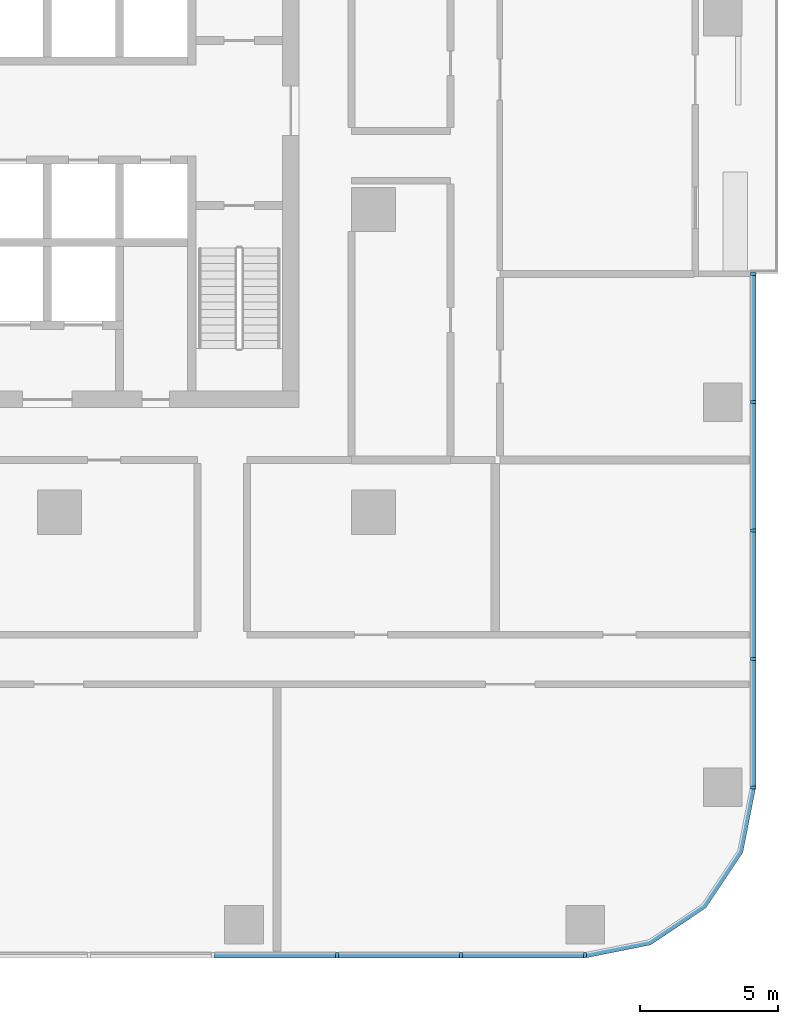
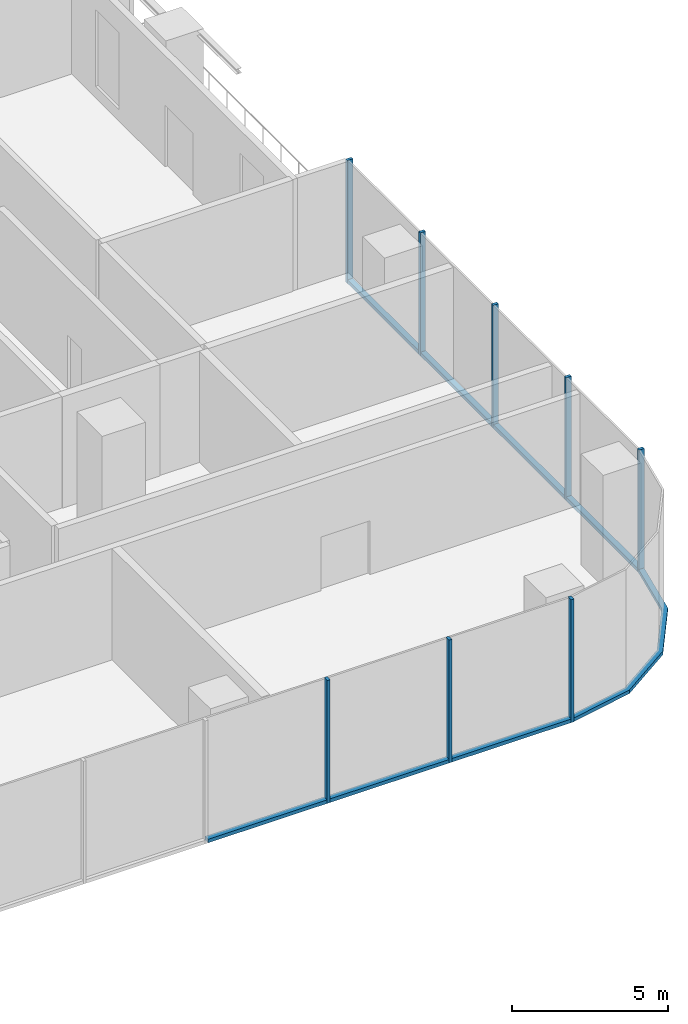
# One storey, part 3 of 15: 16 members, 3 elements without a shape of their own.
"""IFC4 building model written with IfcOpenShell, lengths in metres."""

from ifc_helpers import new_model, si_unit, direction, frame, origin, origin_2d, place, context, subcontext, project, spatial, polyline, rectangle, outline, extrude, material, material_profile, profile_set, type_object, element, aggregate, save


model = new_model("IFC4")

# Units and contexts
model_context = context("Model", 3, precision=1e-05, world=origin(), true_north=direction((0.0, 1.0)))
body_context = subcontext(model_context, "Body", "Model", "MODEL_VIEW")
ifc_project = project(units=[si_unit("LENGTHUNIT", "METRE"), si_unit("AREAUNIT", "SQUARE_METRE"), si_unit("VOLUMEUNIT", "CUBIC_METRE"), si_unit("PLANEANGLEUNIT", "RADIAN"), si_unit("MASSUNIT", "GRAM", prefix="KILO")], contexts=[model_context])

# Site, building, storey
site_placement = place(None, origin())
site = spatial("IfcSite", under=ifc_project, at=site_placement, CompositionType="ELEMENT")
building_placement = place(site_placement, origin())
building = spatial("IfcBuilding", under=site, at=building_placement, Name="Mopane Tessera Tower", CompositionType="ELEMENT")
storey_placement = place(building_placement, frame((0.0, 0.0, 79.0)))
storey = spatial("IfcBuildingStorey", under=building, at=storey_placement, Name="L15", CompositionType="ELEMENT", Elevation=79.0)

# Curtain wall, members
ifc_material_1 = material(Name="Aluminium frame", Category="aluminium")
curtain_wall_type = type_object("IfcCurtainWallType", Name="Lower tower unitised wall", PredefinedType="NOTDEFINED", material=ifc_material_1)
curtain_wall_1_placement = place(storey_placement, origin())
curtain_wall_1 = element("IfcCurtainWall", 1, at=curtain_wall_1_placement, inside=storey, type_object=curtain_wall_type, Name="e:cw:L15:S:5", PredefinedType="NOTDEFINED")
ifc_material_2 = material(Name="Aluminium frame", Category="aluminium")
ifc_material_profile_1 = material_profile(ifc_material_2, rectangle(XDim=0.110107421875, YDim=0.199951171875, at=origin_2d()))
ifc_profile_set_1 = profile_set([ifc_material_profile_1], Name="Aluminium frame")
member_type_1 = type_object("IfcMemberType", Name="Aluminium mullion 110 x 200", PredefinedType="MULLION", material=ifc_profile_set_1)
member_1_placement = place(storey_placement, frame((15.78173828125, -27.10009765625, -0.449951171875), z_axis=(0.0, 0.0, 1.0), x_axis=(1.0, 0.0, 0.0)))
member_1 = element("IfcMember", 2, at=member_1_placement, type_object=member_type_1, Name="e:cw:L15:S:5:mu9", PredefinedType="MULLION", context=body_context, shape_type="SweptSolid", body=[
    extrude(rectangle(XDim=0.110107421875, YDim=0.199951171875, at=origin_2d()), origin(), (0.0, 0.0, 1.0), 4.800048828125),
])
member_2_placement = place(storey_placement, frame((20.291015625, -27.10009765625, -0.449951171875), z_axis=(0.0, 0.0, 1.0), x_axis=(1.0, 0.0, 0.0)))
member_2 = element("IfcMember", 3, at=member_2_placement, type_object=member_type_1, Name="e:cw:L15:S:5:mu10", PredefinedType="MULLION", context=body_context, shape_type="SweptSolid", body=[
    extrude(rectangle(XDim=0.110107421875, YDim=0.199951171875, at=origin_2d()), origin(), (0.0, 0.0, 1.0), 4.800048828125),
])
member_3_placement = place(storey_placement, frame((24.800048828125, -27.10009765625, -0.449951171875), z_axis=(0.0, 0.0, 1.0), x_axis=(1.0, 0.0, 0.0)))
member_3 = element("IfcMember", 4, at=member_3_placement, type_object=member_type_1, Name="e:cw:L15:S:5:mu11", PredefinedType="MULLION", context=body_context, shape_type="SweptSolid", body=[
    extrude(rectangle(XDim=0.110107421875, YDim=0.199951171875, at=origin_2d()), origin(), (0.0, 0.0, 1.0), 4.800048828125),
])

curtain_wall_2_placement = place(storey_placement, origin())
curtain_wall_2 = element("IfcCurtainWall", 5, at=curtain_wall_2_placement, inside=storey, type_object=curtain_wall_type, Name="e:cw:L15:E:0", PredefinedType="NOTDEFINED")
member_4_placement = place(storey_placement, frame((30.89990234375, -21.0, -0.449951171875), z_axis=(0.0, 0.0, 1.0), x_axis=(0.0, 1.0, 0.0)))
member_4 = element("IfcMember", 6, at=member_4_placement, type_object=member_type_1, Name="e:cw:L15:E:0:mu0", PredefinedType="MULLION", context=body_context, shape_type="SweptSolid", body=[
    extrude(rectangle(XDim=0.110107421875, YDim=0.199951171875, at=origin_2d()), origin(), (0.0, 0.0, 1.0), 4.800048828125),
])
member_5_placement = place(storey_placement, frame((30.89990234375, -16.333251953125, -0.449951171875), z_axis=(0.0, 0.0, 1.0), x_axis=(0.0, 1.0, 0.0)))
member_5 = element("IfcMember", 7, at=member_5_placement, type_object=member_type_1, Name="e:cw:L15:E:0:mu1", PredefinedType="MULLION", context=body_context, shape_type="SweptSolid", body=[
    extrude(rectangle(XDim=0.110107421875, YDim=0.199951171875, at=origin_2d()), origin(), (0.0, 0.0, 1.0), 4.800048828125),
])
member_6_placement = place(storey_placement, frame((30.89990234375, -11.666748046875, -0.449951171875), z_axis=(0.0, 0.0, 1.0), x_axis=(0.0, 1.0, 0.0)))
member_6 = element("IfcMember", 8, at=member_6_placement, type_object=member_type_1, Name="e:cw:L15:E:0:mu2", PredefinedType="MULLION", context=body_context, shape_type="SweptSolid", body=[
    extrude(rectangle(XDim=0.110107421875, YDim=0.199951171875, at=origin_2d()), origin(), (0.0, 0.0, 1.0), 4.800048828125),
])
member_7_placement = place(storey_placement, frame((30.89990234375, -7.0, -0.449951171875), z_axis=(0.0, 0.0, 1.0), x_axis=(0.0, 1.0, 0.0)))
member_7 = element("IfcMember", 9, at=member_7_placement, type_object=member_type_1, Name="e:cw:L15:E:0:mu3", PredefinedType="MULLION", context=body_context, shape_type="SweptSolid", body=[
    extrude(rectangle(XDim=0.110107421875, YDim=0.199951171875, at=origin_2d()), origin(), (0.0, 0.0, 1.0), 4.800048828125),
])
member_8_placement = place(storey_placement, frame((30.89990234375, -2.333251953125, -0.449951171875), z_axis=(0.0, 0.0, 1.0), x_axis=(0.0, 1.0, 0.0)))
member_8 = element("IfcMember", 10, at=member_8_placement, type_object=member_type_1, Name="e:cw:L15:E:0:mu4", PredefinedType="MULLION", context=body_context, shape_type="SweptSolid", body=[
    extrude(rectangle(XDim=0.110107421875, YDim=0.199951171875, at=origin_2d()), origin(), (0.0, 0.0, 1.0), 4.800048828125),
])

# Member
ifc_material_3 = material(Name="Aluminium frame", Category="aluminium")
ifc_material_profile_2 = material_profile(ifc_material_3, rectangle(XDim=0.199951171875, YDim=0.139892578125, at=origin_2d()))
ifc_profile_set_2 = profile_set([ifc_material_profile_2], Name="Aluminium frame")
member_type_2 = type_object("IfcMemberType", Name="Aluminium transom 200 x 140", PredefinedType="USERDEFINED", material=ifc_profile_set_2)
member_9_placement = place(storey_placement, frame((11.32763671875, -27.10009765625, -0.3798828125), z_axis=(1.0, 0.0, 0.0), x_axis=(0.0, 1.0, 0.0)))
member_9 = element("IfcMember", 11, at=member_9_placement, type_object=member_type_2, Name="e:cw:L15:S:5:tr8", ObjectType="TRANSOM", PredefinedType="USERDEFINED", context=body_context, shape_type="SweptSolid", body=[
    extrude(rectangle(XDim=0.199951171875, YDim=0.139892578125, at=origin_2d()), origin(), (0.0, 0.0, 1.0), 4.399169921875),
])

member_10_placement = place(storey_placement, frame((15.8369140625, -27.10009765625, -0.3798828125), z_axis=(1.0, 0.0, 0.0), x_axis=(0.0, 1.0, 0.0)))
member_10 = element("IfcMember", 12, at=member_10_placement, type_object=member_type_2, Name="e:cw:L15:S:5:tr9", ObjectType="TRANSOM", PredefinedType="USERDEFINED", context=body_context, shape_type="SweptSolid", body=[
    extrude(rectangle(XDim=0.199951171875, YDim=0.139892578125, at=origin_2d()), origin(), (0.0, 0.0, 1.0), 4.39892578125),
])

member_11_placement = place(storey_placement, frame((20.345947265625, -27.10009765625, -0.3798828125), z_axis=(1.0, 0.0, 0.0), x_axis=(0.0, 1.0, 0.0)))
member_11 = element("IfcMember", 13, at=member_11_placement, type_object=member_type_2, Name="e:cw:L15:S:5:tr10", ObjectType="TRANSOM", PredefinedType="USERDEFINED", context=body_context, shape_type="SweptSolid", body=[
    extrude(rectangle(XDim=0.199951171875, YDim=0.139892578125, at=origin_2d()), origin(), (0.0, 0.0, 1.0), 4.399169921875),
])

aggregate(curtain_wall_1, [member_1, member_2, member_3, member_9, member_10, member_11])

# Curtain wall, member
curtain_wall_3_placement = place(storey_placement, origin())
curtain_wall_3 = element("IfcCurtainWall", 14, at=curtain_wall_3_placement, inside=storey, type_object=curtain_wall_type, Name="e:cw:L15:CS", PredefinedType="NOTDEFINED")
member_12_placement = place(storey_placement, frame((0.0, 0.0, -0.449951171875)))
member_12 = element("IfcMember", 15, at=member_12_placement, type_object=member_type_2, Name="e:cw:L15:CS:tr", ObjectType="TRANSOM", PredefinedType="USERDEFINED", context=body_context, shape_type="SweptSolid", body=[
    extrude(outline(polyline([(24.800048828125, -27.0), (27.09619140625, -26.543212890625), (29.042724609375, -25.24267578125), (30.34326171875, -23.296142578125), (30.800048828125, -21.0), (31.0, -21.0), (30.528076171875, -23.37255859375), (29.18408203125, -25.384033203125), (27.172607421875, -26.72802734375), (24.800048828125, -27.199951171875), (24.800048828125, -27.0)])), origin(), (0.0, 0.0, 1.0), 0.139892578125),
])
aggregate(curtain_wall_3, [member_12])

# Member
member_13_placement = place(storey_placement, frame((30.89990234375, -20.945068359375, -0.3798828125), z_axis=(0.0, 1.0, 0.0), x_axis=(-1.0, 0.0, 0.0)))
member_13 = element("IfcMember", 16, at=member_13_placement, type_object=member_type_2, Name="e:cw:L15:E:0:tr0", ObjectType="TRANSOM", PredefinedType="USERDEFINED", context=body_context, shape_type="SweptSolid", body=[
    extrude(rectangle(XDim=0.199951171875, YDim=0.139892578125, at=origin_2d()), origin(), (0.0, 0.0, 1.0), 4.556640625),
])

member_14_placement = place(storey_placement, frame((30.89990234375, -16.2783203125, -0.3798828125), z_axis=(0.0, 1.0, 0.0), x_axis=(-1.0, 0.0, 0.0)))
member_14 = element("IfcMember", 17, at=member_14_placement, type_object=member_type_2, Name="e:cw:L15:E:0:tr1", ObjectType="TRANSOM", PredefinedType="USERDEFINED", context=body_context, shape_type="SweptSolid", body=[
    extrude(rectangle(XDim=0.199951171875, YDim=0.139892578125, at=origin_2d()), origin(), (0.0, 0.0, 1.0), 4.556640625),
])

member_15_placement = place(storey_placement, frame((30.89990234375, -11.611572265625, -0.3798828125), z_axis=(0.0, 1.0, 0.0), x_axis=(-1.0, 0.0, 0.0)))
member_15 = element("IfcMember", 18, at=member_15_placement, type_object=member_type_2, Name="e:cw:L15:E:0:tr2", ObjectType="TRANSOM", PredefinedType="USERDEFINED", context=body_context, shape_type="SweptSolid", body=[
    extrude(rectangle(XDim=0.199951171875, YDim=0.139892578125, at=origin_2d()), origin(), (0.0, 0.0, 1.0), 4.556640625),
])

member_16_placement = place(storey_placement, frame((30.89990234375, -6.945068359375, -0.3798828125), z_axis=(0.0, 1.0, 0.0), x_axis=(-1.0, 0.0, 0.0)))
member_16 = element("IfcMember", 19, at=member_16_placement, type_object=member_type_2, Name="e:cw:L15:E:0:tr3", ObjectType="TRANSOM", PredefinedType="USERDEFINED", context=body_context, shape_type="SweptSolid", body=[
    extrude(rectangle(XDim=0.199951171875, YDim=0.139892578125, at=origin_2d()), origin(), (0.0, 0.0, 1.0), 4.556640625),
])

aggregate(curtain_wall_2, [member_4, member_5, member_6, member_7, member_8, member_13, member_14, member_15, member_16])

save(model, "model.ifc")
